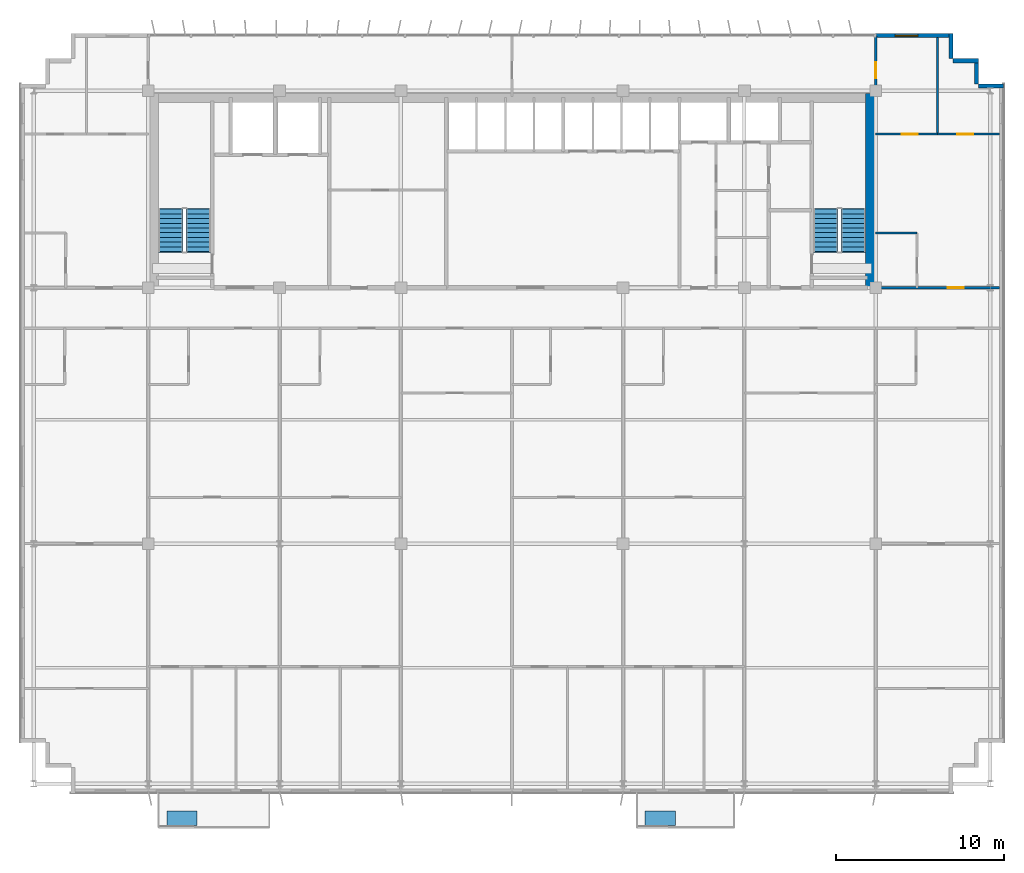
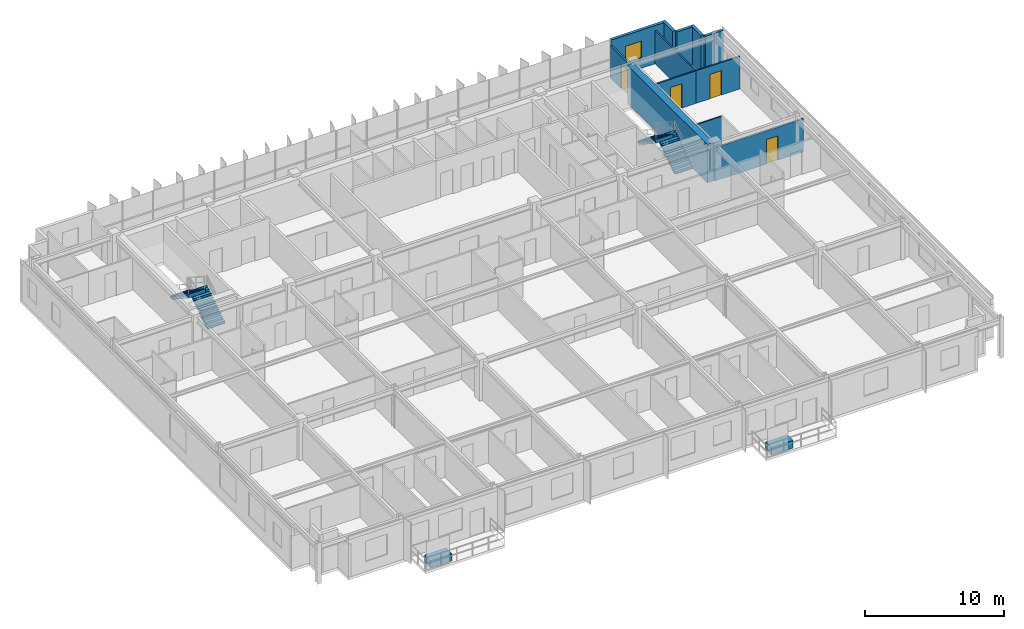
# One storey, part 21 of 23: 12 walls, 4 doors, 4 stair flights, 2 discrete accessories, 1 window, 5 openings, 2 elements without a shape of their own.
"""IFC4 building model written with IfcOpenShell, lengths in metres."""

from ifc_helpers import new_model, si_unit, direction, frame, frame_2d, origin, origin_2d, place, context, subcontext, project, spatial, polyline, rectangle, outline, extrude, source, transform, mapped, material, layer, layer_set, type_object, element, fill, aggregate, save


model = new_model("IFC4")

# Units and contexts
model_context = context("Model", 3, precision=1e-05, world=origin(), true_north=direction((0.0, 1.0)))
body_context = subcontext(model_context, "Body", "Model", "MODEL_VIEW")
ifc_project = project(units=[si_unit("LENGTHUNIT", "METRE"), si_unit("AREAUNIT", "SQUARE_METRE"), si_unit("VOLUMEUNIT", "CUBIC_METRE"), si_unit("PLANEANGLEUNIT", "RADIAN"), si_unit("MASSUNIT", "GRAM", prefix="KILO")], contexts=[model_context])

# Site, building, storey
site_placement = place(None, origin())
site = spatial("IfcSite", under=ifc_project, at=site_placement, CompositionType="ELEMENT")
building_placement = place(site_placement, origin())
building = spatial("IfcBuilding", under=site, at=building_placement, Name="Trelvane Seafront Commons", CompositionType="ELEMENT")
storey_placement = place(building_placement, frame((0.0, 0.0, 219.300048828125)))
storey = spatial("IfcBuildingStorey", under=building, at=storey_placement, Name="L57", CompositionType="ELEMENT", Elevation=219.300048828125)

# Wall, opening, window
ifc_material_1 = material(Name="Precast concrete C40/50", Category="concrete")
ifc_layer_1 = layer(ifc_material_1, 0.239990234375, Name="ARCH-WALL-EXT240")
ifc_layer_set_1 = layer_set([ifc_layer_1], Name="Precast concrete C40/50")
wall_type_1 = type_object("IfcWallType", Name="ARCH-WALL-EXT240", PredefinedType="SOLIDWALL", material=ifc_layer_set_1)
wall_1_placement = place(storey_placement, frame((58.800048828125, 48.3701171875, 0.0), z_axis=(0.0, 0.0, 1.0), x_axis=(1.0, 0.0, 0.0)))
wall_1 = element("IfcWall", 1, at=wall_1_placement, inside=storey, type_object=wall_type_1, Name="EW-L57-NE-1142", PredefinedType="SOLIDWALL", context=body_context, shape_type="SweptSolid", body=[
    extrude(rectangle(XDim=4.5, YDim=0.239990234375, at=frame_2d((2.25, 0.0))), origin(), (0.0, 0.0, 1.0), 3.35986328125),
])
opening_1_placement = place(wall_1_placement, frame((1.14697265625, 0.0, 0.89990234375)))
opening_1 = element("IfcOpeningElement", 2, at=opening_1_placement, cuts=wall_1, Name="Opening W09", PredefinedType="OPENING", context=body_context, shape_type="SweptSolid", body=[
    extrude(rectangle(XDim=1.35009765625, YDim=1.5, at=frame_2d((0.675048828125, 0.75))), frame((0.0, 0.1298828125, 0.0), z_axis=(0.0, -1.0, 0.0), x_axis=(1.0, 0.0, 0.0)), (0.0, 0.0, 1.0), 0.260009765625),
])
ifc_material_2 = material(Name="Low-E coastal double glazing", Category="glass")
window_type = type_object("IfcWindowType", Name="ARCH-WIN-W09", PartitioningType="SINGLE_PANEL", PredefinedType="WINDOW", material=ifc_material_2)
shared_shape_1 = source(origin(), body_context, "Body", "SweptSolid", [
    extrude(rectangle(XDim=1.35009765625, YDim=1.5, at=frame_2d((0.675048828125, 0.75))), frame((0.0, 0.030029296875, 0.0), z_axis=(0.0, -1.0, 0.0), x_axis=(1.0, 0.0, 0.0)), (0.0, 0.0, 1.0), 0.06005859375),
])
window_placement = place(opening_1_placement, origin())
window = element("IfcWindow", 3, at=window_placement, inside=storey, type_object=window_type, Name="WIN-L57-01383", OverallHeight=1.5, OverallWidth=1.35009765625, PartitioningType="SINGLE_PANEL", PredefinedType="WINDOW", context=body_context, shape_type="MappedRepresentation", body=[
    mapped(shared_shape_1, transform((0.0, 0.0, 0.0), x_axis=(1.0, 0.0, 0.0), y_axis=(0.0, 1.0, 0.0), z_axis=(0.0, 0.0, 1.0), scale=1.0)),
])
fill(opening_1, window)

# Walls
for number, where, z_axis, x_axis, name in (
    (4, (63.280029296875, 48.5, 0.0), (0.0, 0.0, 1.0), (0.0, -1.0, 0.0), "EW-L57-01151"),
    (5, (63.39990234375, 46.8798828125, 0.0), (0.0, 0.0, 1.0), (1.0, 0.0, 0.0), "EW-L57-01152"),
    (6, (64.780029296875, 47.0, 0.0), (0.0, 0.0, 1.0), (0.0, -1.0, 0.0), "EW-L57-01153"),
    (7, (64.89990234375, 45.3798828125, 0.0), (0.0, 0.0, 1.0), (1.0, 0.0, 0.0), "EW-L57-01154"),
):
    element("IfcWall", number, at=place(storey_placement, frame(where, z_axis=z_axis, x_axis=x_axis)), inside=storey, type_object=wall_type_1, Name=name, PredefinedType="SOLIDWALL", context=body_context, shape_type="SweptSolid", body=[
        extrude(rectangle(XDim=1.5, YDim=0.239990234375, at=frame_2d((0.75, 0.0))), origin(), (0.0, 0.0, 1.0), 3.35986328125),
    ])
ifc_material_3 = material(Name="Gypsum Drywall Acoustic Partition")
ifc_layer_2 = layer(ifc_material_3, 0.1201171875, Name="ARCH-WALL-PART120")
ifc_layer_set_2 = layer_set([ifc_layer_2], Name="Gypsum Drywall Acoustic Partition")
wall_type_2 = type_object("IfcWallType", Name="ARCH-WALL-PART120", PredefinedType="PARTITIONING", material=ifc_layer_set_2)
wall_2_placement = place(storey_placement, frame((58.800048828125, 36.64990234375, 0.0), z_axis=(0.0, 0.0, 1.0), x_axis=(1.0, 0.0, 0.0)))
element("IfcWall", 8, at=wall_2_placement, inside=storey, type_object=wall_type_2, Name="W-L57-NE-BN-044", PredefinedType="PARTITIONING", context=body_context, shape_type="SweptSolid", body=[
    extrude(rectangle(XDim=2.449951171875, YDim=0.1201171875, at=frame_2d((1.22509765625, 0.0))), origin(), (0.0, 0.0, 1.0), 2.85986328125),
])

# Wall, opening, door
wall_3_placement = place(storey_placement, frame((58.800048828125, 42.52001953125, 0.0), z_axis=(0.0, 0.0, 1.0), x_axis=(1.0, 0.0, 0.0)))
wall_3 = element("IfcWall", 9, at=wall_3_placement, inside=storey, type_object=wall_type_2, Name="W-L57-NE-KB1-045", PredefinedType="PARTITIONING", context=body_context, shape_type="SweptSolid", body=[
    extrude(rectangle(XDim=3.675048828125, YDim=0.1201171875, at=frame_2d((1.83740234375, 0.0))), origin(), (0.0, 0.0, 1.0), 2.85986328125),
])
opening_2_placement = place(wall_3_placement, frame((1.55908203125, 0.0, 0.0)))
opening_2 = element("IfcOpeningElement", 10, at=opening_2_placement, cuts=wall_3, Name="Opening D-L57-26", PredefinedType="OPENING", context=body_context, shape_type="SweptSolid", body=[
    extrude(rectangle(XDim=0.949951171875, YDim=2.14990234375, at=frame_2d((0.47509765625, 1.074951171875))), frame((0.0, 0.070068359375, 0.0), z_axis=(0.0, -1.0, 0.0), x_axis=(1.0, 0.0, 0.0)), (0.0, 0.0, 1.0), 0.14013671875),
])
ifc_material_4 = material(Name="Acoustic timber door leaf", Category="wood")
door_type_1 = type_object("IfcDoorType", Name="ARCH-DR-INT950", OperationType="NOTDEFINED", PredefinedType="DOOR", material=ifc_material_4)
shared_shape_2 = source(origin(), body_context, "Body", "SweptSolid", [
    extrude(rectangle(XDim=0.949951171875, YDim=2.14990234375, at=frame_2d((0.47509765625, 1.074951171875))), frame((0.0, 0.02490234375, 0.0), z_axis=(0.0, -1.0, 0.0), x_axis=(1.0, 0.0, 0.0)), (0.0, 0.0, 1.0), 0.050048828125),
])
door_1_placement = place(opening_2_placement, origin())
door_1 = element("IfcDoor", 11, at=door_1_placement, inside=storey, type_object=door_type_1, Name="L57 Door 26", OperationType="SINGLE_SWING_RIGHT", OverallHeight=2.14990234375, OverallWidth=0.949951171875, PredefinedType="DOOR", context=body_context, shape_type="MappedRepresentation", body=[
    mapped(shared_shape_2, transform((0.0, 0.0, 0.0), x_axis=(1.0, 0.0, 0.0), y_axis=(0.0, 1.0, 0.0), z_axis=(0.0, 0.0, 1.0), scale=1.0)),
])
fill(opening_2, door_1)

wall_4_placement = place(storey_placement, frame((62.47509765625, 42.52001953125, 0.0), z_axis=(0.0, 0.0, 1.0), x_axis=(1.0, 0.0, 0.0)))
wall_4 = element("IfcWall", 12, at=wall_4_placement, inside=storey, type_object=wall_type_2, Name="W-L57-NE-KB2-046", PredefinedType="PARTITIONING", context=body_context, shape_type="SweptSolid", body=[
    extrude(rectangle(XDim=3.6748046875, YDim=0.1201171875, at=frame_2d((1.83740234375, 0.0))), origin(), (0.0, 0.0, 1.0), 2.85986328125),
])
opening_3_placement = place(wall_4_placement, frame((1.166015625, 0.0, 0.0)))
opening_3 = element("IfcOpeningElement", 13, at=opening_3_placement, cuts=wall_4, Name="Opening D-L57-27", PredefinedType="OPENING", context=body_context, shape_type="SweptSolid", body=[
    extrude(rectangle(XDim=0.949951171875, YDim=2.14990234375, at=frame_2d((0.47509765625, 1.074951171875))), frame((0.0, 0.070068359375, 0.0), z_axis=(0.0, -1.0, 0.0), x_axis=(1.0, 0.0, 0.0)), (0.0, 0.0, 1.0), 0.14013671875),
])
door_2_placement = place(opening_3_placement, origin())
door_2 = element("IfcDoor", 14, at=door_2_placement, inside=storey, type_object=door_type_1, Name="L57 Door 27", OperationType="SINGLE_SWING_LEFT", OverallHeight=2.14990234375, OverallWidth=0.949951171875, PredefinedType="DOOR", context=body_context, shape_type="MappedRepresentation", body=[
    mapped(shared_shape_2, transform((0.0, 0.0, 0.0), x_axis=(1.0, 0.0, 0.0), y_axis=(0.0, 1.0, 0.0), z_axis=(0.0, 0.0, 1.0), scale=1.0)),
])
fill(opening_3, door_2)

# Wall
wall_5_placement = place(storey_placement, frame((62.47509765625, 42.52001953125, 0.0), z_axis=(0.0, 0.0, 1.0), x_axis=(0.0, 1.0, 0.0)))
element("IfcWall", 15, at=wall_5_placement, inside=storey, type_object=wall_type_2, Name="W-L57-NE-KBDV-047", PredefinedType="PARTITIONING", context=body_context, shape_type="SweptSolid", body=[
    extrude(rectangle(XDim=5.739990234375, YDim=0.1201171875, at=frame_2d((2.8701171875, 0.0))), origin(), (0.0, 0.0, 1.0), 2.909912109375),
])

# Wall, opening, door
ifc_layer_3 = layer(ifc_material_3, 0.14990234375, Name="ARCH-WALL-PART150")
ifc_layer_set_3 = layer_set([ifc_layer_3], Name="Gypsum Drywall Acoustic Partition")
wall_type_3 = type_object("IfcWallType", Name="ARCH-WALL-PART150", PredefinedType="PARTITIONING", material=ifc_layer_set_3)
wall_6_placement = place(storey_placement, frame((58.800048828125, 33.39990234375, 0.0), z_axis=(0.0, 0.0, 1.0), x_axis=(1.0, 0.0, 0.0)))
wall_6 = element("IfcWall", 16, at=wall_6_placement, inside=storey, type_object=wall_type_3, Name="W-L57-NE-ENT-048", PredefinedType="PARTITIONING", context=body_context, shape_type="SweptSolid", body=[
    extrude(rectangle(XDim=7.349853515625, YDim=0.14990234375, at=frame_2d((3.6748046875, 0.0))), origin(), (0.0, 0.0, 1.0), 2.909912109375),
])
opening_4_placement = place(wall_6_placement, frame((4.27490234375, 0.0, 0.0)))
opening_4 = element("IfcOpeningElement", 17, at=opening_4_placement, cuts=wall_6, Name="Opening FD-L57-28", PredefinedType="OPENING", context=body_context, shape_type="SweptSolid", body=[
    extrude(rectangle(XDim=0.949951171875, YDim=2.14990234375, at=frame_2d((0.47509765625, 1.074951171875))), frame((0.0, 0.0849609375, 0.0), z_axis=(0.0, -1.0, 0.0), x_axis=(1.0, 0.0, 0.0)), (0.0, 0.0, 1.0), 0.169921875),
])
ifc_material_5 = material(Name="Powder-coated aluminium frame", Category="aluminium")
door_type_2 = type_object("IfcDoorType", Name="ARCH-DR-FD60-950", OperationType="NOTDEFINED", PredefinedType="DOOR", material=ifc_material_5)
door_3_placement = place(opening_4_placement, origin())
door_3 = element("IfcDoor", 18, at=door_3_placement, inside=storey, type_object=door_type_2, Name="L57 NE Flat Entrance Door", OperationType="SINGLE_SWING_RIGHT", OverallHeight=2.14990234375, OverallWidth=0.949951171875, PredefinedType="DOOR", context=body_context, shape_type="MappedRepresentation", body=[
    mapped(shared_shape_2, transform((0.0, 0.0, 0.0), x_axis=(1.0, 0.0, 0.0), y_axis=(0.0, 1.0, 0.0), z_axis=(0.0, 0.0, 1.0), scale=1.0)),
])
fill(opening_4, door_3)

wall_7_placement = place(storey_placement, frame((58.800048828125, 44.75, 0.0), z_axis=(0.0, 0.0, 1.0), x_axis=(0.0, 1.0, 0.0)))
wall_7 = element("IfcWall", 19, at=wall_7_placement, inside=storey, type_object=wall_type_3, Name="W-L57-N-LINK-E-051", PredefinedType="PARTITIONING", context=body_context, shape_type="SweptSolid", body=[
    extrude(rectangle(XDim=3.610107421875, YDim=0.14990234375, at=frame_2d((1.80517578125, 0.0))), origin(), (0.0, 0.0, 1.0), 2.85986328125),
])
opening_5_placement = place(wall_7_placement, frame((1.10009765625, 0.0, 0.0)))
opening_5 = element("IfcOpeningElement", 20, at=opening_5_placement, cuts=wall_7, Name="Opening FD-L57-31", PredefinedType="OPENING", context=body_context, shape_type="SweptSolid", body=[
    extrude(rectangle(XDim=0.949951171875, YDim=2.14990234375, at=frame_2d((0.47509765625, 1.074951171875))), frame((0.0, 0.0849609375, 0.0), z_axis=(0.0, -1.0, 0.0), x_axis=(1.0, 0.0, 0.0)), (0.0, 0.0, 1.0), 0.169921875),
])
door_4_placement = place(opening_5_placement, origin())
door_4 = element("IfcDoor", 21, at=door_4_placement, inside=storey, type_object=door_type_2, Name="L57 Door 31", OperationType="SINGLE_SWING_LEFT", OverallHeight=2.14990234375, OverallWidth=0.949951171875, PredefinedType="DOOR", context=body_context, shape_type="MappedRepresentation", body=[
    mapped(shared_shape_2, transform((0.0, 0.0, 0.0), x_axis=(1.0, 0.0, 0.0), y_axis=(0.0, 1.0, 0.0), z_axis=(0.0, 0.0, 1.0), scale=1.0)),
])
fill(opening_5, door_4)

# Wall
ifc_material_6 = material(Name="Concrete C50/60", Category="concrete")
ifc_layer_4 = layer(ifc_material_6, 0.550048828125, Name="STR-WALL-CORE550")
ifc_layer_set_4 = layer_set([ifc_layer_4], Name="Concrete C50/60")
wall_type_4 = type_object("IfcWallType", Name="STR-WALL-CORE550", PredefinedType="SHEAR", material=ifc_layer_set_4)
wall_8_placement = place(storey_placement, frame((58.47509765625, 33.39990234375, 0.0), z_axis=(0.0, 0.0, 1.0), x_axis=(0.0, 1.0, 0.0)))
element("IfcWall", 22, at=wall_8_placement, inside=storey, type_object=wall_type_4, Name="W-L57-CE-END-003", PredefinedType="SHEAR", context=body_context, shape_type="SweptSolid", body=[
    extrude(rectangle(XDim=11.550048828125, YDim=0.550048828125, at=frame_2d((5.77490234375, 0.0))), origin(), (0.0, 0.0, 1.0), 3.35986328125),
])

# Stair, stair flights
ifc_material_7 = material(Name="Concrete C40/50", Category="concrete")
stair_type_1 = type_object("IfcStairType", Name="ARCH-STR-ST-1-R20-180", PredefinedType="HALF_TURN_STAIR", material=ifc_material_7)
stair_1_placement = place(storey_placement, origin())
stair_1 = element("IfcStair", 23, at=stair_1_placement, inside=storey, type_object=stair_type_1, Name="L57 West Protected Firefighting Exit Stair ST-1", PredefinedType="HALF_TURN_STAIR")
stair_flight_type_1 = type_object("IfcStairFlightType", Name="ARCH-FLG-ST-1-R20-180", PredefinedType="STRAIGHT", material=ifc_material_7)
shared_shape_3 = source(origin(), body_context, "Body", "SweptSolid", [
    extrude(outline(polyline([(-0.050048828125, -0.02001953125), (-0.050048828125, 0.0), (0.0, 0.0), (0.0, 0.179931640625), (0.280029296875, 0.179931640625), (0.280029296875, 0.360107421875), (0.56005859375, 0.360107421875), (0.56005859375, 0.5400390625), (0.840087890625, 0.5400390625), (0.840087890625, 0.719970703125), (1.1201171875, 0.719970703125), (1.1201171875, 0.89990234375), (1.39990234375, 0.89990234375), (1.39990234375, 1.080078125), (1.679931640625, 1.080078125), (1.679931640625, 1.260009765625), (1.9599609375, 1.260009765625), (1.9599609375, 1.43994140625), (2.239990234375, 1.43994140625), (2.239990234375, 1.6201171875), (2.52001953125, 1.6201171875), (2.52001953125, 1.800048828125), (2.570068359375, 1.800048828125), (2.570068359375, 1.650146484375), (2.52001953125, 1.44189453125), (0.277099609375, -0.02001953125), (-0.050048828125, -0.02001953125)])), frame((0.0, 0.72509765625, 0.0), z_axis=(0.0, -1.0, 0.0), x_axis=(1.0, 0.0, 0.0)), (0.0, 0.0, 1.0), 1.449951171875),
])
stair_flight_1_placement = place(storey_placement, frame((18.574951171875, 35.550048828125, 0.0), z_axis=(0.0, 0.0, 1.0), x_axis=(0.0, 1.0, 0.0)))
stair_flight_1 = element("IfcStairFlight", 24, at=stair_flight_1_placement, type_object=stair_flight_type_1, Name="ST-1 flight 1", NumberOfRisers=10, NumberOfTreads=9, PredefinedType="STRAIGHT", RiserHeight=0.18, TreadLength=0.28, context=body_context, shape_type="MappedRepresentation", body=[
    mapped(shared_shape_3, transform((0.0, 0.0, 0.0), x_axis=(1.0, 0.0, 0.0), y_axis=(0.0, 1.0, 0.0), z_axis=(0.0, 0.0, 1.0), scale=1.0)),
])
stair_flight_2_placement = place(storey_placement, frame((16.925048828125, 38.070068359375, 1.800048828125), z_axis=(0.0, 0.0, 1.0), x_axis=(0.0, -1.0, 0.0)))
stair_flight_2 = element("IfcStairFlight", 25, at=stair_flight_2_placement, type_object=stair_flight_type_1, Name="ST-1 flight 2", NumberOfRisers=10, NumberOfTreads=9, PredefinedType="STRAIGHT", RiserHeight=0.18, TreadLength=0.28, context=body_context, shape_type="MappedRepresentation", body=[
    mapped(shared_shape_3, transform((0.0, 0.0, 0.0), x_axis=(1.0, 0.0, 0.0), y_axis=(0.0, 1.0, 0.0), z_axis=(0.0, 0.0, 1.0), scale=1.0)),
])
aggregate(stair_1, [stair_flight_1, stair_flight_2])

stair_type_2 = type_object("IfcStairType", Name="ARCH-STR-ST-2-R20-180", PredefinedType="HALF_TURN_STAIR", material=ifc_material_7)
stair_2_placement = place(storey_placement, origin())
stair_2 = element("IfcStair", 26, at=stair_2_placement, inside=storey, type_object=stair_type_2, Name="L57 East Protected Firefighting Exit Stair ST-2", PredefinedType="HALF_TURN_STAIR")
stair_flight_type_2 = type_object("IfcStairFlightType", Name="ARCH-FLG-ST-2-R20-180", PredefinedType="STRAIGHT", material=ifc_material_7)
stair_flight_3_placement = place(storey_placement, frame((57.47509765625, 35.550048828125, 0.0), z_axis=(0.0, 0.0, 1.0), x_axis=(0.0, 1.0, 0.0)))
stair_flight_3 = element("IfcStairFlight", 27, at=stair_flight_3_placement, type_object=stair_flight_type_2, Name="ST-2 flight 1", NumberOfRisers=10, NumberOfTreads=9, PredefinedType="STRAIGHT", RiserHeight=0.18, TreadLength=0.28, context=body_context, shape_type="MappedRepresentation", body=[
    mapped(shared_shape_3, transform((0.0, 0.0, 0.0), x_axis=(1.0, 0.0, 0.0), y_axis=(0.0, 1.0, 0.0), z_axis=(0.0, 0.0, 1.0), scale=1.0)),
])
stair_flight_4_placement = place(storey_placement, frame((55.824951171875, 38.070068359375, 1.800048828125), z_axis=(0.0, 0.0, 1.0), x_axis=(0.0, -1.0, 0.0)))
stair_flight_4 = element("IfcStairFlight", 28, at=stair_flight_4_placement, type_object=stair_flight_type_2, Name="ST-2 flight 2", NumberOfRisers=10, NumberOfTreads=9, PredefinedType="STRAIGHT", RiserHeight=0.18, TreadLength=0.28, context=body_context, shape_type="MappedRepresentation", body=[
    mapped(shared_shape_3, transform((0.0, 0.0, 0.0), x_axis=(1.0, 0.0, 0.0), y_axis=(0.0, 1.0, 0.0), z_axis=(0.0, 0.0, 1.0), scale=1.0)),
])
aggregate(stair_2, [stair_flight_3, stair_flight_4])

# Discrete accessories
discrete_accessory_type = type_object("IfcDiscreteAccessoryType", Name="ARCH-ACC-PLANTER", PredefinedType="USERDEFINED", material=ifc_material_1)
shared_shape_4 = source(origin(), body_context, "Body", "SweptSolid", [
    extrude(rectangle(XDim=1.800048828125, YDim=0.85009765625, at=origin_2d()), origin(), (0.0, 0.0, 1.0), 0.64990234375),
])
for number, where, z_axis, x_axis, name in (
    (29, (17.60009765625, 1.89990234375, 0.0), (0.0, 0.0, 1.0), (1.0, 0.0, 0.0), "PLN-L57-B0-061"),
    (30, (46.0, 1.89990234375, 0.0), (0.0, 0.0, 1.0), (1.0, 0.0, 0.0), "PLN-L57-B1-062"),
):
    element("IfcDiscreteAccessory", number, at=place(storey_placement, frame(where, z_axis=z_axis, x_axis=x_axis)), inside=storey, type_object=discrete_accessory_type, Name=name, ObjectType="BALCONY TREE PLANTER", PredefinedType="USERDEFINED", context=body_context, shape_type="MappedRepresentation", body=[
        mapped(shared_shape_4, transform((0.0, 0.0, 0.0), x_axis=(1.0, 0.0, 0.0), y_axis=(0.0, 1.0, 0.0), z_axis=(0.0, 0.0, 1.0), scale=1.0)),
    ])

save(model, "model.ifc")
